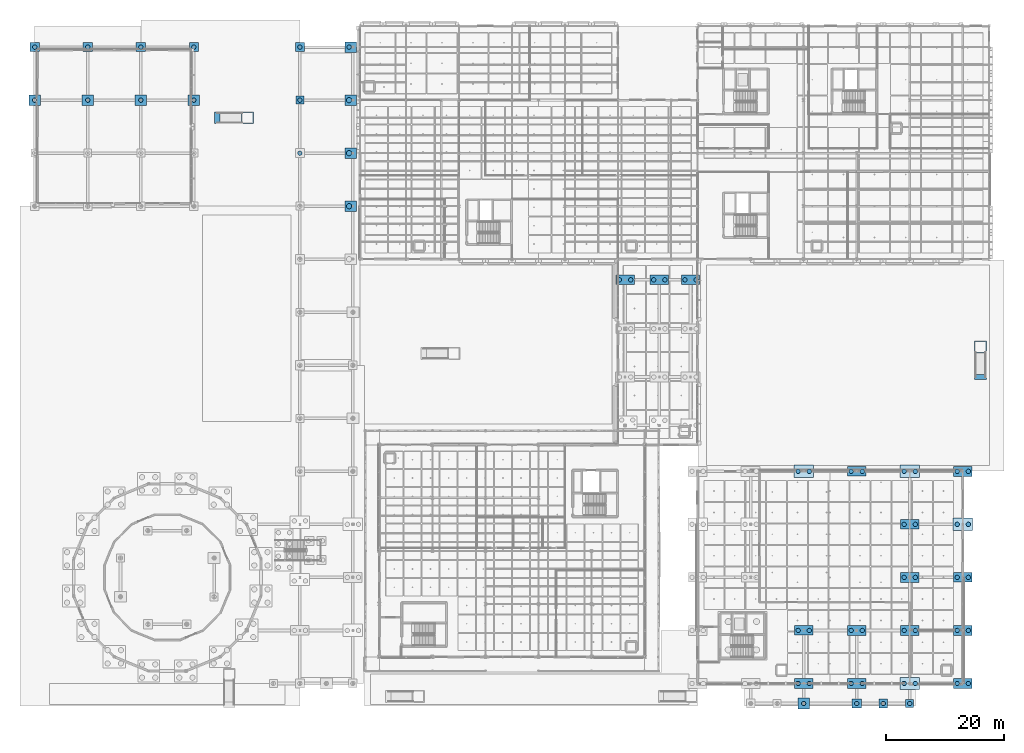
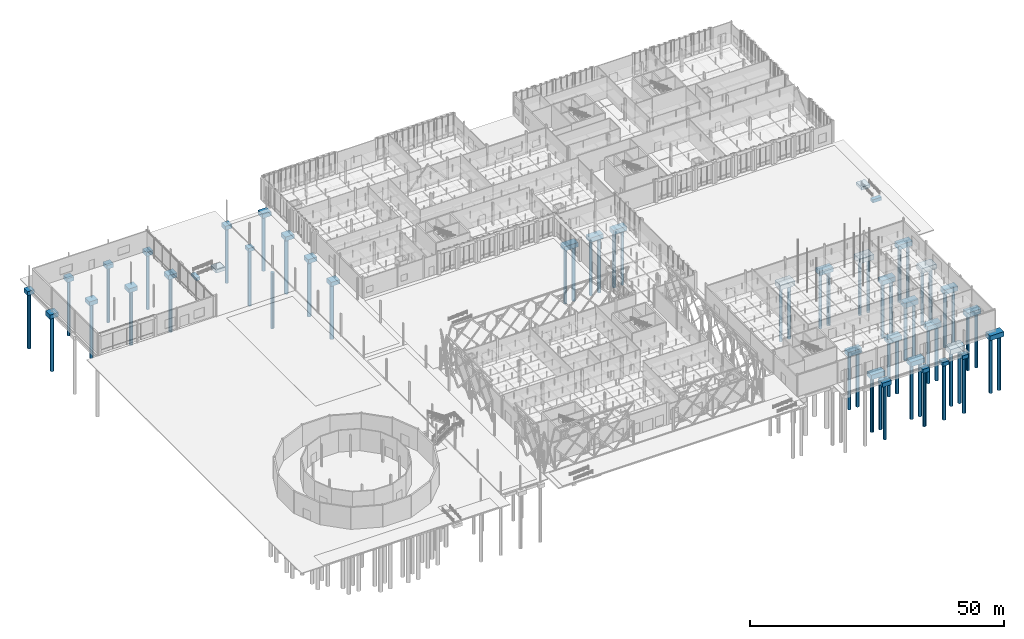
# One storey, part 3 of 180: 57 piles, 41 footings.
"""IFC4 building model written with IfcOpenShell, lengths in metres."""

import ifcopenshell
import ifcopenshell.guid

model = None  # the IFC model being written
_history = None  # IfcOwnerHistory: only IFC2X3 demands one
_inside = {}  # id of a spatial element -> (the spatial element, [elements in it])
_under = {}  # id of a project, library or spatial element -> (it, [spatial elements below it])
_declared = {}  # id of a project -> (the project, [libraries it declares])
_typed = {}  # id of a type object -> (the type object, [elements of that type])
_made_of = {}  # id of a material, layer set ... -> (it, [elements and type objects made of it])


def new_model(schema):
    """Start an empty IFC model of exactly this schema.

    Asked for "IFC4X3", IfcOpenShell would pick the latest addendum, in which some entities
    have other attributes; the version numbers below select the first issue.
    IFC2X3 requires an IfcOwnerHistory on every rooted entity: one is made here for all.
    """
    global model, _history
    if schema == "IFC4X3":
        model = ifcopenshell.file(schema_version=(4, 3, 0, 0))
    else:
        model = ifcopenshell.file(schema=schema)
    _inside.clear()
    _under.clear()
    _declared.clear()
    _typed.clear()
    _made_of.clear()
    _history = None
    if model.schema == "IFC2X3":
        org = make("IfcOrganization", Name="unknown")
        user = make(
            "IfcPersonAndOrganization",
            ThePerson=make("IfcPerson", FamilyName="unknown"),
            TheOrganization=org,
        )
        app = make(
            "IfcApplication",
            ApplicationDeveloper=org,
            Version="unknown",
            ApplicationFullName="unknown",
            ApplicationIdentifier="unknown",
        )
        _history = make(
            "IfcOwnerHistory",
            OwningUser=user,
            OwningApplication=app,
            ChangeAction="ADDED",
            CreationDate=0,
        )
    return model


def make(cls, **values):
    """One entity of the class cls with the attributes given. An attribute that is None is left unset."""
    return model.create_entity(
        cls, **{name: value for name, value in values.items() if value is not None}
    )


def rooted(cls, **values):
    """An entity with a GlobalId (a new one), such as an element, a storey or a relation."""
    return make(cls, GlobalId=ifcopenshell.guid.new(), OwnerHistory=_history, **values)


def si_unit(unit_type, name, prefix=None):
    """IfcSIUnit, for example si_unit("LENGTHUNIT", "METRE", prefix="MILLI")."""
    return make("IfcSIUnit", UnitType=unit_type, Prefix=prefix, Name=name)


def assignment(units):
    """IfcUnitAssignment: the units of a project."""
    return None if units is None else make("IfcUnitAssignment", Units=units)


def point(xyz):
    """IfcCartesianPoint."""
    return None if xyz is None else make("IfcCartesianPoint", Coordinates=xyz)


def direction(xyz):
    """IfcDirection."""
    return None if xyz is None else make("IfcDirection", DirectionRatios=xyz)


def frame(location, z_axis=None, x_axis=None):
    """IfcAxis2Placement3D, a coordinate frame: its origin and axes. An axis left out is left unset."""
    return make(
        "IfcAxis2Placement3D",
        Location=point(location),
        Axis=direction(z_axis),
        RefDirection=direction(x_axis),
    )


def frame_2d(location, x_axis=None):
    """IfcAxis2Placement2D, a coordinate frame in the plane: its origin and x axis."""
    return make(
        "IfcAxis2Placement2D", Location=point(location), RefDirection=direction(x_axis)
    )


def origin():
    """The frame at (0, 0, 0) with its axes left unset."""
    return frame((0.0, 0.0, 0.0))


def origin_2d():
    """The frame at (0, 0) in the plane with its x axis left unset."""
    return frame_2d((0.0, 0.0))


def place(relative_to, where):
    """IfcLocalPlacement: puts the frame where relative to a parent placement (None: the world)."""
    return make(
        "IfcLocalPlacement", PlacementRelTo=relative_to, RelativePlacement=where
    )


def context(
    kind, dimensions, precision=None, world=None, true_north=None, identifier=None
):
    """IfcGeometricRepresentationContext, for example the 3D "Model" context."""
    return make(
        "IfcGeometricRepresentationContext",
        ContextIdentifier=identifier,
        ContextType=kind,
        CoordinateSpaceDimension=dimensions,
        Precision=precision,
        WorldCoordinateSystem=world,
        TrueNorth=true_north,
    )


def subcontext(parent, identifier, kind, view, scale=None):
    """IfcGeometricRepresentationSubContext, for example "Body" below "Model"."""
    return make(
        "IfcGeometricRepresentationSubContext",
        ContextIdentifier=identifier,
        ContextType=kind,
        ParentContext=parent,
        TargetScale=scale,
        TargetView=view,
    )


def project(units=None, contexts=None):
    """IfcProject with its units and contexts."""
    return rooted(
        "IfcProject",
        Name="project",
        RepresentationContexts=contexts,
        UnitsInContext=assignment(units),
    )


def spatial(cls, under=None, at=None, **own):
    """A site, building, storey or space (cls), placed at a placement, below another one or the project."""
    s = rooted(cls, ObjectPlacement=at, **own)
    if under is not None:
        _under.setdefault(under.id(), (under, []))[1].append(s)
    return s


def profile(cls, at=None, kind="AREA", **sizes):
    """A parametric profile (cls). Its sizes go by their IFC names, for example OverallWidth=200.0."""
    return make(cls, ProfileType=kind, Position=at, **sizes)


def rectangle(**sizes):
    """IfcRectangleProfileDef."""
    return profile("IfcRectangleProfileDef", **sizes)


def circle(**sizes):
    """IfcCircleProfileDef."""
    return profile("IfcCircleProfileDef", **sizes)


def extrude(swept, where, along, depth):
    """IfcExtrudedAreaSolid: the profile swept, set in the frame where, extruded along a direction by depth."""
    return make(
        "IfcExtrudedAreaSolid",
        SweptArea=swept,
        Position=where,
        ExtrudedDirection=direction(along),
        Depth=depth,
    )


def shape(context_of_items, identifier, shape_type, items):
    """IfcShapeRepresentation: the items that make up one representation, for example the "Body"."""
    return make(
        "IfcShapeRepresentation",
        ContextOfItems=context_of_items,
        RepresentationIdentifier=identifier,
        RepresentationType=shape_type,
        Items=items,
    )


def material(Name=None, Category=None):
    """IfcMaterial."""
    return make("IfcMaterial", Name=Name, Category=Category)


def material_profile(
    of_material, cross_section, Name=None, Category=None, Priority=None
):
    """IfcMaterialProfile: a cross section and its material."""
    return make(
        "IfcMaterialProfile",
        Name=Name,
        Material=of_material,
        Profile=cross_section,
        Priority=Priority,
        Category=Category,
    )


def profile_set(profiles, Name=None, composite=None):
    """IfcMaterialProfileSet."""
    return make(
        "IfcMaterialProfileSet",
        Name=Name,
        MaterialProfiles=profiles,
        CompositeProfile=composite,
    )


def made_of(thing, what):
    """Note that an element or type object is made of a material, layer set ...; save() writes the relation."""
    if what is not None:
        _made_of.setdefault(what.id(), (what, []))[1].append(thing)
    return thing


def type_object(cls, material=None, **own):
    """A type object (cls), such as IfcWallType, which elements share."""
    return made_of(rooted(cls, **own), material)


def element(
    cls,
    number,
    at=None,
    inside=None,
    cuts=None,
    type_object=None,
    material=None,
    context=None,
    identifier="Body",
    shape_type=None,
    held_by="IfcProductDefinitionShape",
    body=None,
    shapes=None,
    **own,
):
    """One element of the class cls, such as IfcWall. Its Tag is "e" and its number.

    at: its placement. inside: the storey or other place that contains it. cuts: it is an
    opening in that element (IfcRelVoidsElement). A single representation is given by context,
    identifier, shape_type and body (its items); several are given by shapes. held_by: the class
    of the entity that holds the representations. save() writes the other relations.
    """
    e = rooted(cls, Tag="e%d" % number, ObjectPlacement=at, **own)
    if body is not None:
        shapes = [shape(context, identifier, shape_type, body)]
    if shapes is not None:
        e.Representation = make(held_by, Representations=shapes)
    if inside is not None:
        _inside.setdefault(inside.id(), (inside, []))[1].append(e)
    if cuts is not None:
        rooted(
            "IfcRelVoidsElement", RelatingBuildingElement=cuts, RelatedOpeningElement=e
        )
    if type_object is not None:
        _typed.setdefault(type_object.id(), (type_object, []))[1].append(e)
    return made_of(e, material)


def aggregate(whole, parts):
    """IfcRelAggregates: a whole, such as a stair, and the parts it consists of."""
    return rooted("IfcRelAggregates", RelatingObject=whole, RelatedObjects=parts)


def save(model, path):
    """Write the relations noted so far, then the file.

    IfcRelAggregates (storeys below a building ...), IfcRelContainedInSpatialStructure (elements
    in a storey), IfcRelDefinesByType, IfcRelAssociatesMaterial and IfcRelDeclares: one each for
    every whole, place, type object, material and project.
    """
    for whole, parts in _under.values():
        aggregate(whole, parts)
    for where, things in _inside.values():
        rooted(
            "IfcRelContainedInSpatialStructure",
            RelatedElements=things,
            RelatingStructure=where,
        )
    for kind, things in _typed.values():
        rooted("IfcRelDefinesByType", RelatedObjects=things, RelatingType=kind)
    for what, things in _made_of.values():
        rooted("IfcRelAssociatesMaterial", RelatedObjects=things, RelatingMaterial=what)
    for by, libraries in _declared.values():
        rooted("IfcRelDeclares", RelatingContext=by, RelatedDefinitions=libraries)
    model.write(path)


model = new_model("IFC4")

# Units and contexts
model_context = context("Model", 3, precision=1e-05, world=origin(), true_north=direction((0.0, 1.0)))
body_context = subcontext(model_context, "Body", "Model", "MODEL_VIEW")
ifc_project = project(units=[si_unit("LENGTHUNIT", "METRE"), si_unit("AREAUNIT", "SQUARE_METRE"), si_unit("VOLUMEUNIT", "CUBIC_METRE"), si_unit("PLANEANGLEUNIT", "RADIAN"), si_unit("MASSUNIT", "GRAM", prefix="KILO"), si_unit("THERMODYNAMICTEMPERATUREUNIT", "KELVIN"), si_unit("POWERUNIT", "WATT")], contexts=[model_context])

# Site, building, storey
site_placement = place(None, origin())
site = spatial("IfcSite", under=ifc_project, at=site_placement, CompositionType="ELEMENT")
building_placement = place(site_placement, origin())
building = spatial("IfcBuilding", under=site, at=building_placement, Name="Tallowbark Science Centre", CompositionType="ELEMENT")
storey_placement = place(building_placement, origin())
storey = spatial("IfcBuildingStorey", under=building, at=storey_placement, Name="L00", CompositionType="ELEMENT", Elevation=0.0)

# Footings
ifc_material = material(Name="Concrete Grade N40 (40 MPa)", Category="concrete")
footing_type_1 = type_object("IfcFootingType", Name="FTG-PC1-130", PredefinedType="PILE_CAP", material=ifc_material)
for number, where, z_axis, x_axis, name in (
    (1, (45.0, 99.0, -1.110107421875), (0.0, 0.0, 1.0), (1.0, 0.0, 0.0), "Pile Cap PAS-W11"),
    (2, (148.5, -3.39990234375, -1.090087890625), (0.0, 0.0, 1.0), (1.0, 0.0, 0.0), "Pile Cap THT-POR-05"),
):
    element("IfcFooting", number, at=place(storey_placement, frame(where, z_axis=z_axis, x_axis=x_axis)), inside=storey, type_object=footing_type_1, Name=name, PredefinedType="PILE_CAP", context=body_context, shape_type="SweptSolid", body=[
        extrude(rectangle(XDim=1.35009765625, YDim=1.35009765625, at=origin_2d()), origin(), (0.0, 0.0, 1.0), 0.85009765625),
    ])
footing_type_2 = type_object("IfcFootingType", Name="FTG-PC1-140", PredefinedType="PILE_CAP", material=ifc_material)
footing_1_placement = place(storey_placement, frame((144.0, -3.39990234375, -1.139892578125), z_axis=(0.0, 0.0, 1.0), x_axis=(1.0, 0.0, 0.0)))
element("IfcFooting", 3, at=footing_1_placement, inside=storey, type_object=footing_type_2, Name="Pile Cap THT-POR-04", PredefinedType="PILE_CAP", context=body_context, shape_type="SweptSolid", body=[
    extrude(rectangle(XDim=1.449951171875, YDim=1.449951171875, at=origin_2d()), origin(), (0.0, 0.0, 1.0), 0.89990234375),
])
footing_type_3 = type_object("IfcFootingType", Name="FTG-PC1-150", PredefinedType="PILE_CAP", material=ifc_material)
for number, where, z_axis, x_axis, name in (
    (4, (45.0, 108.0, -1.2099609375), (0.0, 0.0, 1.0), (1.0, 0.0, 0.0), "Pile Cap PAS-W12"),
    (5, (139.5, -3.39990234375, -1.18994140625), (0.0, 0.0, 1.0), (1.0, 0.0, 0.0), "Pile Cap THT-POR-03"),
    (6, (0.0, 108.0, -1.2099609375), (0.0, 0.0, 1.0), (1.0, 0.0, 0.0), "Pile Cap PRK-0_3"),
    (7, (9.0, 108.0, -1.2099609375), (0.0, 0.0, 1.0), (1.0, 0.0, 0.0), "Pile Cap PRK-1_3"),
    (8, (18.0, 108.0, -1.2099609375), (0.0, 0.0, 1.0), (1.0, 0.0, 0.0), "Pile Cap PRK-2_3"),
    (9, (27.0, 108.0, -1.2099609375), (0.0, 0.0, 1.0), (1.0, 0.0, 0.0), "Pile Cap PRK-3_3"),
):
    element("IfcFooting", number, at=place(storey_placement, frame(where, z_axis=z_axis, x_axis=x_axis)), inside=storey, type_object=footing_type_3, Name=name, PredefinedType="PILE_CAP", context=body_context, shape_type="SweptSolid", body=[
        extrude(rectangle(XDim=1.550048828125, YDim=1.550048828125, at=origin_2d()), origin(), (0.0, 0.0, 1.0), 0.949951171875),
    ])
footing_type_4 = type_object("IfcFootingType", Name="FTG-PC1-160", PredefinedType="PILE_CAP", material=ifc_material)
for number, where, z_axis, x_axis, name in (
    (10, (53.64990234375, 81.0, -1.260009765625), (0.0, 0.0, 1.0), (1.0, 0.0, 0.0), "Pile Cap PAS-E09"),
    (11, (53.64990234375, 90.0, -1.260009765625), (0.0, 0.0, 1.0), (1.0, 0.0, 0.0), "Pile Cap PAS-E10"),
    (12, (53.64990234375, 99.0, -1.260009765625), (0.0, 0.0, 1.0), (1.0, 0.0, 0.0), "Pile Cap PAS-E11"),
    (13, (53.64990234375, 108.0, -1.260009765625), (0.0, 0.0, 1.0), (1.0, 0.0, 0.0), "Pile Cap PAS-E12"),
    (14, (130.5, -3.39990234375, -1.239990234375), (0.0, 0.0, 1.0), (1.0, 0.0, 0.0), "Pile Cap THT-POR-02"),
    (15, (0.0, 99.0, -1.260009765625), (0.0, 0.0, 1.0), (1.0, 0.0, 0.0), "Pile Cap PRK-0_2"),
    (16, (9.0, 99.0, -1.260009765625), (0.0, 0.0, 1.0), (1.0, 0.0, 0.0), "Pile Cap PRK-1_2"),
    (17, (18.0, 99.0, -1.260009765625), (0.0, 0.0, 1.0), (1.0, 0.0, 0.0), "Pile Cap PRK-2_2"),
    (18, (27.0, 99.0, -1.260009765625), (0.0, 0.0, 1.0), (1.0, 0.0, 0.0), "Pile Cap PRK-3_2"),
):
    element("IfcFooting", number, at=place(storey_placement, frame(where, z_axis=z_axis, x_axis=x_axis)), inside=storey, type_object=footing_type_4, Name=name, PredefinedType="PILE_CAP", context=body_context, shape_type="SweptSolid", body=[
        extrude(rectangle(XDim=2.0, YDim=1.800048828125, at=origin_2d()), origin(), (0.0, 0.0, 1.0), 1.0),
    ])
footing_type_5 = type_object("IfcFootingType", Name="FTG-PC2-230", PredefinedType="PILE_CAP", material=ifc_material)
for number, where, z_axis, x_axis, name in (
    (19, (130.5, 9.0, -1.340087890625), (0.0, 0.0, 1.0), (1.0, 0.0, 0.0), "Pile Cap THT-M2_1"),
    (20, (139.5, 36.0, -1.340087890625), (0.0, 0.0, 1.0), (1.0, 0.0, 0.0), "Pile Cap THT-M3_4"),
    (21, (148.5, 27.0, -1.340087890625), (0.0, 0.0, 1.0), (1.0, 0.0, 0.0), "Pile Cap THT-M4_3"),
    (22, (157.5, 18.0, -1.340087890625), (0.0, 0.0, 1.0), (1.0, 0.0, 0.0), "Pile Cap THT-M5_2"),
    (23, (100.199951171875, 68.5, -1.340087890625), (0.0, 0.0, 1.0), (1.0, 0.0, 0.0), "Pile Cap LNK-0_3"),
    (24, (106.0, 68.5, -1.340087890625), (0.0, 0.0, 1.0), (1.0, 0.0, 0.0), "Pile Cap LNK-1_3"),
    (25, (111.300048828125, 68.5, -1.340087890625), (0.0, 0.0, 1.0), (1.0, 0.0, 0.0), "Pile Cap LNK-2_3"),
):
    element("IfcFooting", number, at=place(storey_placement, frame(where, z_axis=z_axis, x_axis=x_axis)), inside=storey, type_object=footing_type_5, Name=name, PredefinedType="PILE_CAP", context=body_context, shape_type="SweptSolid", body=[
        extrude(rectangle(XDim=3.10009765625, YDim=1.60009765625, at=origin_2d()), origin(), (0.0, 0.0, 1.0), 1.10009765625),
    ])
footing_type_6 = type_object("IfcFootingType", Name="FTG-PC2-240", PredefinedType="PILE_CAP", material=ifc_material)
for number, where, z_axis, x_axis, name in (
    (26, (130.5, 0.0, -1.389892578125), (0.0, 0.0, 1.0), (1.0, 0.0, 0.0), "Pile Cap THT-M2_0"),
    (27, (139.5, 9.0, -1.389892578125), (0.0, 0.0, 1.0), (1.0, 0.0, 0.0), "Pile Cap THT-M3_1"),
    (28, (148.5, 18.0, -1.389892578125), (0.0, 0.0, 1.0), (1.0, 0.0, 0.0), "Pile Cap THT-M4_2"),
    (29, (157.5, 9.0, -1.389892578125), (0.0, 0.0, 1.0), (1.0, 0.0, 0.0), "Pile Cap THT-M5_1"),
):
    element("IfcFooting", number, at=place(storey_placement, frame(where, z_axis=z_axis, x_axis=x_axis)), inside=storey, type_object=footing_type_6, Name=name, PredefinedType="PILE_CAP", context=body_context, shape_type="SweptSolid", body=[
        extrude(rectangle(XDim=3.14990234375, YDim=1.64990234375, at=origin_2d()), origin(), (0.0, 0.0, 1.0), 1.14990234375),
    ])
footing_type_7 = type_object("IfcFootingType", Name="FTG-PC2-250", PredefinedType="PILE_CAP", material=ifc_material)
for number, where, z_axis, x_axis, name in (
    (30, (139.5, 0.0, -1.389892578125), (0.0, 0.0, 1.0), (1.0, 0.0, 0.0), "Pile Cap THT-M3_0"),
    (31, (148.5, 9.0, -1.389892578125), (0.0, 0.0, 1.0), (1.0, 0.0, 0.0), "Pile Cap THT-M4_1"),
    (32, (157.5, 0.0, -1.389892578125), (0.0, 0.0, 1.0), (1.0, 0.0, 0.0), "Pile Cap THT-M5_0"),
    (33, (157.5, 36.0, -1.389892578125), (0.0, 0.0, 1.0), (1.0, 0.0, 0.0), "Pile Cap THT-M5_4"),
):
    element("IfcFooting", number, at=place(storey_placement, frame(where, z_axis=z_axis, x_axis=x_axis)), inside=storey, type_object=footing_type_7, Name=name, PredefinedType="PILE_CAP", context=body_context, shape_type="SweptSolid", body=[
        extrude(rectangle(XDim=3.199951171875, YDim=1.699951171875, at=origin_2d()), origin(), (0.0, 0.0, 1.0), 1.14990234375),
    ])
footing_type_8 = type_object("IfcFootingType", Name="FTG-PC2-260", PredefinedType="PILE_CAP", material=ifc_material)
for number, where, z_axis, x_axis, name in (
    (34, (130.5, 36.0, -1.43994140625), (0.0, 0.0, 1.0), (1.0, 0.0, 0.0), "Pile Cap THT-M2_4"),
    (35, (148.5, 0.0, -1.43994140625), (0.0, 0.0, 1.0), (1.0, 0.0, 0.0), "Pile Cap THT-M4_0"),
    (36, (148.5, 36.0, -1.43994140625), (0.0, 0.0, 1.0), (1.0, 0.0, 0.0), "Pile Cap THT-M4_4"),
    (37, (157.5, 27.0, -1.43994140625), (0.0, 0.0, 1.0), (1.0, 0.0, 0.0), "Pile Cap THT-M5_3"),
):
    element("IfcFooting", number, at=place(storey_placement, frame(where, z_axis=z_axis, x_axis=x_axis)), inside=storey, type_object=footing_type_8, Name=name, PredefinedType="PILE_CAP", context=body_context, shape_type="SweptSolid", body=[
        extrude(rectangle(XDim=3.300048828125, YDim=2.10009765625, at=origin_2d()), origin(), (0.0, 0.0, 1.0), 1.199951171875),
    ])
footing_type_9 = type_object("IfcFootingType", Name="FTG-STR-900", PredefinedType="STRIP_FOOTING", material=ifc_material)
footing_2_placement = place(storey_placement, frame((31.0, 96.0, -1.22998046875), z_axis=(0.0, 0.0, 1.0), x_axis=(0.0, 1.0, 0.0)))
element("IfcFooting", 38, at=footing_2_placement, inside=storey, type_object=footing_type_9, Name="Ramp Toe Footing RMP-03", PredefinedType="STRIP_FOOTING", context=body_context, shape_type="SweptSolid", body=[
    extrude(rectangle(XDim=2.0, YDim=0.89990234375, at=origin_2d()), origin(), (0.0, 0.0, 1.0), 0.75),
])
footing_3_placement = place(storey_placement, frame((36.10009765625, 96.0, -0.909912109375), z_axis=(0.0, 0.0, 1.0), x_axis=(1.0, 0.0, 0.0)))
element("IfcFooting", 39, at=footing_3_placement, inside=storey, type_object=footing_type_9, Name="Ramp Landing Footing RMP-03", PredefinedType="STRIP_FOOTING", context=body_context, shape_type="SweptSolid", body=[
    extrude(rectangle(XDim=2.10009765625, YDim=2.0, at=origin_2d()), origin(), (0.0, 0.0, 1.0), 0.75),
])
footing_4_placement = place(storey_placement, frame((160.5, 52.0, -1.22998046875), z_axis=(0.0, 0.0, 1.0), x_axis=(-1.0, 0.0, 0.0)))
element("IfcFooting", 40, at=footing_4_placement, inside=storey, type_object=footing_type_9, Name="Ramp Toe Footing RMP-06", PredefinedType="STRIP_FOOTING", context=body_context, shape_type="SweptSolid", body=[
    extrude(rectangle(XDim=2.0, YDim=0.89990234375, at=origin_2d()), origin(), (0.0, 0.0, 1.0), 0.75),
])
footing_5_placement = place(storey_placement, frame((160.5, 57.10009765625, -0.909912109375), z_axis=(0.0, 0.0, 1.0), x_axis=(0.0, 1.0, 0.0)))
element("IfcFooting", 41, at=footing_5_placement, inside=storey, type_object=footing_type_9, Name="Ramp Landing Footing RMP-06", PredefinedType="STRIP_FOOTING", context=body_context, shape_type="SweptSolid", body=[
    extrude(rectangle(XDim=2.10009765625, YDim=2.0, at=origin_2d()), origin(), (0.0, 0.0, 1.0), 0.75),
])

# Piles
ifc_material_profile_1 = material_profile(ifc_material, circle(Radius=0.375, at=origin_2d()), Name="PILE750")
ifc_profile_set_1 = profile_set([ifc_material_profile_1], Name="Concrete Grade N40 (40 MPa)")
pile_type_1 = type_object("IfcPileType", Name="PIL-B750", PredefinedType="BORED", material=ifc_profile_set_1)
pile_1_placement = place(storey_placement, frame((45.0, 90.0, -1.06005859375), z_axis=(0.0, 0.0, -1.0), x_axis=(1.0, 0.0, 0.0)))
element("IfcPile", 42, at=pile_1_placement, inside=storey, type_object=pile_type_1, Name="Bored Pile PAS-W10-1", PredefinedType="BORED", context=body_context, shape_type="SweptSolid", body=[
    extrude(circle(Radius=0.375, at=origin_2d()), origin(), (0.0, 0.0, 1.0), 13.43994140625),
])
pile_2_placement = place(storey_placement, frame((45.0, 99.0, -0.9599609375), z_axis=(0.0, 0.0, -1.0), x_axis=(1.0, 0.0, 0.0)))
element("IfcPile", 43, at=pile_2_placement, inside=storey, type_object=pile_type_1, Name="Bored Pile PAS-W11-1", PredefinedType="BORED", context=body_context, shape_type="SweptSolid", body=[
    extrude(circle(Radius=0.375, at=origin_2d()), origin(), (0.0, 0.0, 1.0), 13.5400390625),
])
pile_3_placement = place(storey_placement, frame((45.0, 108.0, -1.06005859375), z_axis=(0.0, 0.0, -1.0), x_axis=(1.0, 0.0, 0.0)))
element("IfcPile", 44, at=pile_3_placement, inside=storey, type_object=pile_type_1, Name="Bored Pile PAS-W12-1", PredefinedType="BORED", context=body_context, shape_type="SweptSolid", body=[
    extrude(circle(Radius=0.375, at=origin_2d()), origin(), (0.0, 0.0, 1.0), 13.43994140625),
])
pile_4_placement = place(storey_placement, frame((53.35009765625, 108.0, -1.110107421875), z_axis=(0.0, 0.0, -1.0), x_axis=(1.0, 0.0, 0.0)))
element("IfcPile", 45, at=pile_4_placement, inside=storey, type_object=pile_type_1, Name="Bored Pile PAS-E12-1", PredefinedType="BORED", context=body_context, shape_type="SweptSolid", body=[
    extrude(circle(Radius=0.375, at=origin_2d()), origin(), (0.0, 0.0, 1.0), 13.389892578125),
])
for number, where, z_axis, x_axis, name in (
    (46, (129.550048828125, 0.0, -1.239990234375), (0.0, 0.0, -1.0), (1.0, 0.0, 0.0), "Bored Pile THT-M2_0-1"),
    (47, (131.449951171875, 0.0, -1.239990234375), (0.0, 0.0, -1.0), (1.0, 0.0, 0.0), "Bored Pile THT-M2_0-2"),
):
    element("IfcPile", number, at=place(storey_placement, frame(where, z_axis=z_axis, x_axis=x_axis)), inside=storey, type_object=pile_type_1, Name=name, PredefinedType="BORED", context=body_context, shape_type="SweptSolid", body=[
        extrude(circle(Radius=0.375, at=origin_2d()), origin(), (0.0, 0.0, 1.0), 13.260009765625),
    ])
for number, where, z_axis, x_axis, name in (
    (48, (129.550048828125, 9.0, -1.18994140625), (0.0, 0.0, -1.0), (1.0, 0.0, 0.0), "Bored Pile THT-M2_1-1"),
    (49, (131.449951171875, 9.0, -1.18994140625), (0.0, 0.0, -1.0), (1.0, 0.0, 0.0), "Bored Pile THT-M2_1-2"),
):
    element("IfcPile", number, at=place(storey_placement, frame(where, z_axis=z_axis, x_axis=x_axis)), inside=storey, type_object=pile_type_1, Name=name, PredefinedType="BORED", context=body_context, shape_type="SweptSolid", body=[
        extrude(circle(Radius=0.375, at=origin_2d()), origin(), (0.0, 0.0, 1.0), 13.31005859375),
    ])
for number, where, z_axis, x_axis, name in (
    (50, (129.550048828125, 36.0, -1.2900390625), (0.0, 0.0, -1.0), (1.0, 0.0, 0.0), "Bored Pile THT-M2_4-1"),
    (51, (131.449951171875, 36.0, -1.2900390625), (0.0, 0.0, -1.0), (1.0, 0.0, 0.0), "Bored Pile THT-M2_4-2"),
):
    element("IfcPile", number, at=place(storey_placement, frame(where, z_axis=z_axis, x_axis=x_axis)), inside=storey, type_object=pile_type_1, Name=name, PredefinedType="BORED", context=body_context, shape_type="SweptSolid", body=[
        extrude(circle(Radius=0.375, at=origin_2d()), origin(), (0.0, 0.0, 1.0), 13.2099609375),
    ])
for number, where, z_axis, x_axis, name in (
    (52, (138.550048828125, 0.0, -1.239990234375), (0.0, 0.0, -1.0), (1.0, 0.0, 0.0), "Bored Pile THT-M3_0-1"),
    (53, (140.449951171875, 0.0, -1.239990234375), (0.0, 0.0, -1.0), (1.0, 0.0, 0.0), "Bored Pile THT-M3_0-2"),
    (54, (138.550048828125, 9.0, -1.239990234375), (0.0, 0.0, -1.0), (1.0, 0.0, 0.0), "Bored Pile THT-M3_1-1"),
    (55, (140.449951171875, 9.0, -1.239990234375), (0.0, 0.0, -1.0), (1.0, 0.0, 0.0), "Bored Pile THT-M3_1-2"),
):
    element("IfcPile", number, at=place(storey_placement, frame(where, z_axis=z_axis, x_axis=x_axis)), inside=storey, type_object=pile_type_1, Name=name, PredefinedType="BORED", context=body_context, shape_type="SweptSolid", body=[
        extrude(circle(Radius=0.375, at=origin_2d()), origin(), (0.0, 0.0, 1.0), 13.260009765625),
    ])
for number, where, z_axis, x_axis, name in (
    (56, (138.550048828125, 36.0, -1.18994140625), (0.0, 0.0, -1.0), (1.0, 0.0, 0.0), "Bored Pile THT-M3_4-1"),
    (57, (140.449951171875, 36.0, -1.18994140625), (0.0, 0.0, -1.0), (1.0, 0.0, 0.0), "Bored Pile THT-M3_4-2"),
):
    element("IfcPile", number, at=place(storey_placement, frame(where, z_axis=z_axis, x_axis=x_axis)), inside=storey, type_object=pile_type_1, Name=name, PredefinedType="BORED", context=body_context, shape_type="SweptSolid", body=[
        extrude(circle(Radius=0.375, at=origin_2d()), origin(), (0.0, 0.0, 1.0), 13.31005859375),
    ])
for number, where, z_axis, x_axis, name in (
    (58, (147.550048828125, 0.0, -1.2900390625), (0.0, 0.0, -1.0), (1.0, 0.0, 0.0), "Bored Pile THT-M4_0-1"),
    (59, (149.449951171875, 0.0, -1.2900390625), (0.0, 0.0, -1.0), (1.0, 0.0, 0.0), "Bored Pile THT-M4_0-2"),
):
    element("IfcPile", number, at=place(storey_placement, frame(where, z_axis=z_axis, x_axis=x_axis)), inside=storey, type_object=pile_type_1, Name=name, PredefinedType="BORED", context=body_context, shape_type="SweptSolid", body=[
        extrude(circle(Radius=0.375, at=origin_2d()), origin(), (0.0, 0.0, 1.0), 13.2099609375),
    ])
for number, where, z_axis, x_axis, name in (
    (60, (147.550048828125, 9.0, -1.239990234375), (0.0, 0.0, -1.0), (1.0, 0.0, 0.0), "Bored Pile THT-M4_1-1"),
    (61, (149.449951171875, 9.0, -1.239990234375), (0.0, 0.0, -1.0), (1.0, 0.0, 0.0), "Bored Pile THT-M4_1-2"),
    (62, (147.550048828125, 18.0, -1.239990234375), (0.0, 0.0, -1.0), (1.0, 0.0, 0.0), "Bored Pile THT-M4_2-1"),
    (63, (149.449951171875, 18.0, -1.239990234375), (0.0, 0.0, -1.0), (1.0, 0.0, 0.0), "Bored Pile THT-M4_2-2"),
):
    element("IfcPile", number, at=place(storey_placement, frame(where, z_axis=z_axis, x_axis=x_axis)), inside=storey, type_object=pile_type_1, Name=name, PredefinedType="BORED", context=body_context, shape_type="SweptSolid", body=[
        extrude(circle(Radius=0.375, at=origin_2d()), origin(), (0.0, 0.0, 1.0), 13.260009765625),
    ])
for number, where, z_axis, x_axis, name in (
    (64, (147.550048828125, 27.0, -1.18994140625), (0.0, 0.0, -1.0), (1.0, 0.0, 0.0), "Bored Pile THT-M4_3-1"),
    (65, (149.449951171875, 27.0, -1.18994140625), (0.0, 0.0, -1.0), (1.0, 0.0, 0.0), "Bored Pile THT-M4_3-2"),
):
    element("IfcPile", number, at=place(storey_placement, frame(where, z_axis=z_axis, x_axis=x_axis)), inside=storey, type_object=pile_type_1, Name=name, PredefinedType="BORED", context=body_context, shape_type="SweptSolid", body=[
        extrude(circle(Radius=0.375, at=origin_2d()), origin(), (0.0, 0.0, 1.0), 13.31005859375),
    ])
for number, where, z_axis, x_axis, name in (
    (66, (147.550048828125, 36.0, -1.2900390625), (0.0, 0.0, -1.0), (1.0, 0.0, 0.0), "Bored Pile THT-M4_4-1"),
    (67, (149.449951171875, 36.0, -1.2900390625), (0.0, 0.0, -1.0), (1.0, 0.0, 0.0), "Bored Pile THT-M4_4-2"),
):
    element("IfcPile", number, at=place(storey_placement, frame(where, z_axis=z_axis, x_axis=x_axis)), inside=storey, type_object=pile_type_1, Name=name, PredefinedType="BORED", context=body_context, shape_type="SweptSolid", body=[
        extrude(circle(Radius=0.375, at=origin_2d()), origin(), (0.0, 0.0, 1.0), 13.2099609375),
    ])
for number, where, z_axis, x_axis, name in (
    (68, (156.550048828125, 0.0, -1.239990234375), (0.0, 0.0, -1.0), (1.0, 0.0, 0.0), "Bored Pile THT-M5_0-1"),
    (69, (158.449951171875, 0.0, -1.239990234375), (0.0, 0.0, -1.0), (1.0, 0.0, 0.0), "Bored Pile THT-M5_0-2"),
    (70, (156.550048828125, 9.0, -1.239990234375), (0.0, 0.0, -1.0), (1.0, 0.0, 0.0), "Bored Pile THT-M5_1-1"),
    (71, (158.449951171875, 9.0, -1.239990234375), (0.0, 0.0, -1.0), (1.0, 0.0, 0.0), "Bored Pile THT-M5_1-2"),
):
    element("IfcPile", number, at=place(storey_placement, frame(where, z_axis=z_axis, x_axis=x_axis)), inside=storey, type_object=pile_type_1, Name=name, PredefinedType="BORED", context=body_context, shape_type="SweptSolid", body=[
        extrude(circle(Radius=0.375, at=origin_2d()), origin(), (0.0, 0.0, 1.0), 13.260009765625),
    ])
for number, where, z_axis, x_axis, name in (
    (72, (156.550048828125, 18.0, -1.18994140625), (0.0, 0.0, -1.0), (1.0, 0.0, 0.0), "Bored Pile THT-M5_2-1"),
    (73, (158.449951171875, 18.0, -1.18994140625), (0.0, 0.0, -1.0), (1.0, 0.0, 0.0), "Bored Pile THT-M5_2-2"),
):
    element("IfcPile", number, at=place(storey_placement, frame(where, z_axis=z_axis, x_axis=x_axis)), inside=storey, type_object=pile_type_1, Name=name, PredefinedType="BORED", context=body_context, shape_type="SweptSolid", body=[
        extrude(circle(Radius=0.375, at=origin_2d()), origin(), (0.0, 0.0, 1.0), 13.31005859375),
    ])
for number, where, z_axis, x_axis, name in (
    (74, (156.550048828125, 27.0, -1.2900390625), (0.0, 0.0, -1.0), (1.0, 0.0, 0.0), "Bored Pile THT-M5_3-1"),
    (75, (158.449951171875, 27.0, -1.2900390625), (0.0, 0.0, -1.0), (1.0, 0.0, 0.0), "Bored Pile THT-M5_3-2"),
):
    element("IfcPile", number, at=place(storey_placement, frame(where, z_axis=z_axis, x_axis=x_axis)), inside=storey, type_object=pile_type_1, Name=name, PredefinedType="BORED", context=body_context, shape_type="SweptSolid", body=[
        extrude(circle(Radius=0.375, at=origin_2d()), origin(), (0.0, 0.0, 1.0), 13.2099609375),
    ])
for number, where, z_axis, x_axis, name in (
    (76, (156.550048828125, 36.0, -1.239990234375), (0.0, 0.0, -1.0), (1.0, 0.0, 0.0), "Bored Pile THT-M5_4-1"),
    (77, (158.449951171875, 36.0, -1.239990234375), (0.0, 0.0, -1.0), (1.0, 0.0, 0.0), "Bored Pile THT-M5_4-2"),
):
    element("IfcPile", number, at=place(storey_placement, frame(where, z_axis=z_axis, x_axis=x_axis)), inside=storey, type_object=pile_type_1, Name=name, PredefinedType="BORED", context=body_context, shape_type="SweptSolid", body=[
        extrude(circle(Radius=0.375, at=origin_2d()), origin(), (0.0, 0.0, 1.0), 13.260009765625),
    ])
pile_5_placement = place(storey_placement, frame((130.5, -3.39990234375, -1.090087890625), z_axis=(0.0, 0.0, -1.0), x_axis=(1.0, 0.0, 0.0)))
element("IfcPile", 78, at=pile_5_placement, inside=storey, type_object=pile_type_1, Name="Bored Pile THT-POR-02-1", PredefinedType="BORED", context=body_context, shape_type="SweptSolid", body=[
    extrude(circle(Radius=0.375, at=origin_2d()), origin(), (0.0, 0.0, 1.0), 13.409912109375),
])
pile_6_placement = place(storey_placement, frame((139.5, -3.39990234375, -1.0400390625), z_axis=(0.0, 0.0, -1.0), x_axis=(1.0, 0.0, 0.0)))
element("IfcPile", 79, at=pile_6_placement, inside=storey, type_object=pile_type_1, Name="Bored Pile THT-POR-03-1", PredefinedType="BORED", context=body_context, shape_type="SweptSolid", body=[
    extrude(circle(Radius=0.375, at=origin_2d()), origin(), (0.0, 0.0, 1.0), 13.4599609375),
])
pile_7_placement = place(storey_placement, frame((144.0, -3.39990234375, -0.989990234375), z_axis=(0.0, 0.0, -1.0), x_axis=(1.0, 0.0, 0.0)))
element("IfcPile", 80, at=pile_7_placement, inside=storey, type_object=pile_type_1, Name="Bored Pile THT-POR-04-1", PredefinedType="BORED", context=body_context, shape_type="SweptSolid", body=[
    extrude(circle(Radius=0.375, at=origin_2d()), origin(), (0.0, 0.0, 1.0), 13.510009765625),
])
pile_8_placement = place(storey_placement, frame((148.5, -3.39990234375, -0.93994140625), z_axis=(0.0, 0.0, -1.0), x_axis=(1.0, 0.0, 0.0)))
element("IfcPile", 81, at=pile_8_placement, inside=storey, type_object=pile_type_1, Name="Bored Pile THT-POR-05-1", PredefinedType="BORED", context=body_context, shape_type="SweptSolid", body=[
    extrude(circle(Radius=0.375, at=origin_2d()), origin(), (0.0, 0.0, 1.0), 13.56005859375),
])
for number, where, z_axis, x_axis, name in (
    (82, (99.25, 68.5, -1.18994140625), (0.0, 0.0, -1.0), (1.0, 0.0, 0.0), "Bored Pile LNK-0_3-1"),
    (83, (101.14990234375, 68.5, -1.18994140625), (0.0, 0.0, -1.0), (1.0, 0.0, 0.0), "Bored Pile LNK-0_3-2"),
    (84, (105.050048828125, 68.5, -1.18994140625), (0.0, 0.0, -1.0), (1.0, 0.0, 0.0), "Bored Pile LNK-1_3-1"),
    (85, (106.949951171875, 68.5, -1.18994140625), (0.0, 0.0, -1.0), (1.0, 0.0, 0.0), "Bored Pile LNK-1_3-2"),
    (86, (110.35009765625, 68.5, -1.18994140625), (0.0, 0.0, -1.0), (1.0, 0.0, 0.0), "Bored Pile LNK-2_3-1"),
    (87, (112.25, 68.5, -1.18994140625), (0.0, 0.0, -1.0), (1.0, 0.0, 0.0), "Bored Pile LNK-2_3-2"),
):
    element("IfcPile", number, at=place(storey_placement, frame(where, z_axis=z_axis, x_axis=x_axis)), inside=storey, type_object=pile_type_1, Name=name, PredefinedType="BORED", context=body_context, shape_type="SweptSolid", body=[
        extrude(circle(Radius=0.375, at=origin_2d()), origin(), (0.0, 0.0, 1.0), 13.31005859375),
    ])
pile_9_placement = place(storey_placement, frame((0.0, 99.0, -1.110107421875), z_axis=(0.0, 0.0, -1.0), x_axis=(1.0, 0.0, 0.0)))
element("IfcPile", 88, at=pile_9_placement, inside=storey, type_object=pile_type_1, Name="Bored Pile PRK-0_2-1", PredefinedType="BORED", context=body_context, shape_type="SweptSolid", body=[
    extrude(circle(Radius=0.375, at=origin_2d()), origin(), (0.0, 0.0, 1.0), 13.389892578125),
])
pile_10_placement = place(storey_placement, frame((0.0, 108.0, -1.06005859375), z_axis=(0.0, 0.0, -1.0), x_axis=(1.0, 0.0, 0.0)))
element("IfcPile", 89, at=pile_10_placement, inside=storey, type_object=pile_type_1, Name="Bored Pile PRK-0_3-1", PredefinedType="BORED", context=body_context, shape_type="SweptSolid", body=[
    extrude(circle(Radius=0.375, at=origin_2d()), origin(), (0.0, 0.0, 1.0), 13.43994140625),
])
pile_11_placement = place(storey_placement, frame((9.0, 99.0, -1.110107421875), z_axis=(0.0, 0.0, -1.0), x_axis=(1.0, 0.0, 0.0)))
element("IfcPile", 90, at=pile_11_placement, inside=storey, type_object=pile_type_1, Name="Bored Pile PRK-1_2-1", PredefinedType="BORED", context=body_context, shape_type="SweptSolid", body=[
    extrude(circle(Radius=0.375, at=origin_2d()), origin(), (0.0, 0.0, 1.0), 13.389892578125),
])
pile_12_placement = place(storey_placement, frame((9.0, 108.0, -1.06005859375), z_axis=(0.0, 0.0, -1.0), x_axis=(1.0, 0.0, 0.0)))
element("IfcPile", 91, at=pile_12_placement, inside=storey, type_object=pile_type_1, Name="Bored Pile PRK-1_3-1", PredefinedType="BORED", context=body_context, shape_type="SweptSolid", body=[
    extrude(circle(Radius=0.375, at=origin_2d()), origin(), (0.0, 0.0, 1.0), 13.43994140625),
])
pile_13_placement = place(storey_placement, frame((18.0, 99.0, -1.110107421875), z_axis=(0.0, 0.0, -1.0), x_axis=(1.0, 0.0, 0.0)))
element("IfcPile", 92, at=pile_13_placement, inside=storey, type_object=pile_type_1, Name="Bored Pile PRK-2_2-1", PredefinedType="BORED", context=body_context, shape_type="SweptSolid", body=[
    extrude(circle(Radius=0.375, at=origin_2d()), origin(), (0.0, 0.0, 1.0), 13.389892578125),
])
pile_14_placement = place(storey_placement, frame((18.0, 108.0, -1.06005859375), z_axis=(0.0, 0.0, -1.0), x_axis=(1.0, 0.0, 0.0)))
element("IfcPile", 93, at=pile_14_placement, inside=storey, type_object=pile_type_1, Name="Bored Pile PRK-2_3-1", PredefinedType="BORED", context=body_context, shape_type="SweptSolid", body=[
    extrude(circle(Radius=0.375, at=origin_2d()), origin(), (0.0, 0.0, 1.0), 13.43994140625),
])
pile_15_placement = place(storey_placement, frame((27.0, 99.0, -1.110107421875), z_axis=(0.0, 0.0, -1.0), x_axis=(1.0, 0.0, 0.0)))
element("IfcPile", 94, at=pile_15_placement, inside=storey, type_object=pile_type_1, Name="Bored Pile PRK-3_2-1", PredefinedType="BORED", context=body_context, shape_type="SweptSolid", body=[
    extrude(circle(Radius=0.375, at=origin_2d()), origin(), (0.0, 0.0, 1.0), 13.389892578125),
])
pile_16_placement = place(storey_placement, frame((27.0, 108.0, -1.06005859375), z_axis=(0.0, 0.0, -1.0), x_axis=(1.0, 0.0, 0.0)))
element("IfcPile", 95, at=pile_16_placement, inside=storey, type_object=pile_type_1, Name="Bored Pile PRK-3_3-1", PredefinedType="BORED", context=body_context, shape_type="SweptSolid", body=[
    extrude(circle(Radius=0.375, at=origin_2d()), origin(), (0.0, 0.0, 1.0), 13.43994140625),
])
ifc_material_profile_2 = material_profile(ifc_material, circle(Radius=0.449951171875, at=origin_2d()), Name="PILE900")
ifc_profile_set_2 = profile_set([ifc_material_profile_2], Name="Concrete Grade N40 (40 MPa)")
pile_type_2 = type_object("IfcPileType", Name="PIL-B900", PredefinedType="BORED", material=ifc_profile_set_2)
for number, where, z_axis, x_axis, name in (
    (96, (53.35009765625, 81.0, -1.110107421875), (0.0, 0.0, -1.0), (1.0, 0.0, 0.0), "Bored Pile PAS-E09-1"),
    (97, (53.35009765625, 90.0, -1.110107421875), (0.0, 0.0, -1.0), (1.0, 0.0, 0.0), "Bored Pile PAS-E10-1"),
    (98, (53.35009765625, 99.0, -1.110107421875), (0.0, 0.0, -1.0), (1.0, 0.0, 0.0), "Bored Pile PAS-E11-1"),
):
    element("IfcPile", number, at=place(storey_placement, frame(where, z_axis=z_axis, x_axis=x_axis)), inside=storey, type_object=pile_type_2, Name=name, PredefinedType="BORED", context=body_context, shape_type="SweptSolid", body=[
        extrude(circle(Radius=0.449951171875, at=origin_2d()), origin(), (0.0, 0.0, 1.0), 13.389892578125),
    ])

save(model, "model.ifc")
